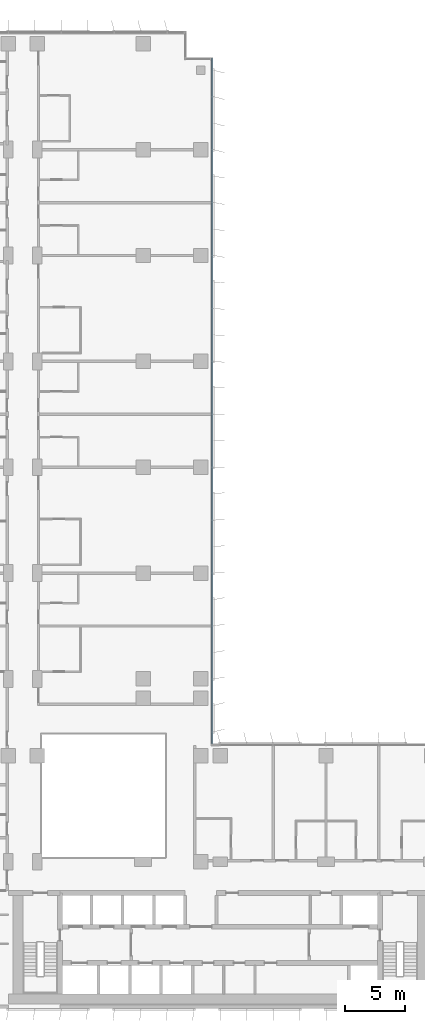
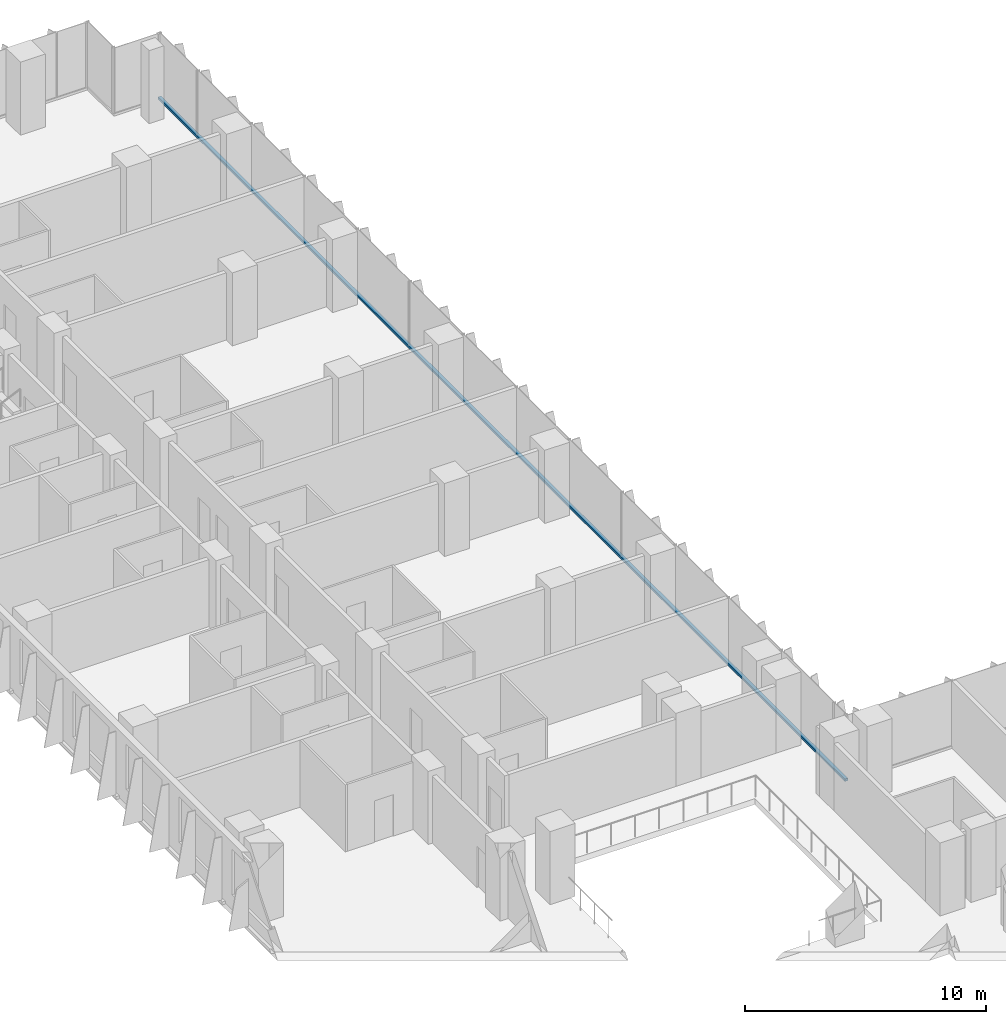
# One storey, part 6 of 23: 1 member, 1 element without a shape of its own.
"""IFC4 building model written with IfcOpenShell, lengths in metres."""

from ifc_helpers import new_model, si_unit, direction, frame, origin, origin_2d, place, context, subcontext, project, spatial, rectangle, extrude, material, material_profile, profile_set, type_object, element, aggregate, save


model = new_model("IFC4")

# Units and contexts
model_context = context("Model", 3, precision=1e-05, world=origin(), true_north=direction((0.0, 1.0)))
body_context = subcontext(model_context, "Body", "Model", "MODEL_VIEW")
ifc_project = project(units=[si_unit("LENGTHUNIT", "METRE"), si_unit("AREAUNIT", "SQUARE_METRE"), si_unit("VOLUMEUNIT", "CUBIC_METRE"), si_unit("PLANEANGLEUNIT", "RADIAN"), si_unit("MASSUNIT", "GRAM", prefix="KILO")], contexts=[model_context])

# Site, building, storey
site_placement = place(None, origin())
site = spatial("IfcSite", under=ifc_project, at=site_placement, CompositionType="ELEMENT")
building_placement = place(site_placement, origin())
building = spatial("IfcBuilding", under=site, at=building_placement, Name="Kemantara Hotel Tower", CompositionType="ELEMENT")
storey_placement = place(building_placement, frame((0.0, 0.0, 114.800048828125)))
storey = spatial("IfcBuildingStorey", under=building, at=storey_placement, Name="L27", CompositionType="ELEMENT", Elevation=114.800048828125)

# Curtain wall, member
ifc_material_1 = material(Name="Low-E tinted double insulated glass 36 mm", Category="glass")
curtain_wall_type = type_object("IfcCurtainWallType", Name="TOWER CURTAIN WALL, FRONT FACES", PredefinedType="USERDEFINED", material=ifc_material_1)
curtain_wall_placement = place(storey_placement, origin())
curtain_wall = element("IfcCurtainWall", 1, at=curtain_wall_placement, inside=storey, type_object=curtain_wall_type, Name="CW4 L27 T2-R14-1", ObjectType="TOWER CURTAIN WALL, FRONT FACES", PredefinedType="USERDEFINED")
ifc_material_2 = material(Name="Aluminium 6063-T6 bronze anodised", Category="aluminium")
ifc_material_profile = material_profile(ifc_material_2, rectangle(XDim=0.14990234375, YDim=0.1201171875, at=origin_2d()), Name="TOWER CURTAIN WALL, FRONT FACES TRANSOM")
ifc_profile_set = profile_set([ifc_material_profile], Name="Aluminium 6063-T6 bronze anodised")
member_type = type_object("IfcMemberType", Name="TOWER CURTAIN WALL, FRONT FACES TRANSOM", PredefinedType="USERDEFINED", material=ifc_profile_set)
member_placement = place(storey_placement, frame((26.72509765625, 22.0, 0.06005859375), z_axis=(0.0, 1.0, 0.0), x_axis=(-1.0, 0.0, 0.0)))
member = element("IfcMember", 2, at=member_placement, type_object=member_type, Name="CW4 sill transom T2-R14-1", ObjectType="TRANSOM", PredefinedType="USERDEFINED", context=body_context, shape_type="SweptSolid", body=[
    extrude(rectangle(XDim=0.14990234375, YDim=0.1201171875, at=origin_2d()), origin(), (0.0, 0.0, 1.0), 57.0),
])
aggregate(curtain_wall, [member])

save(model, "model.ifc")
